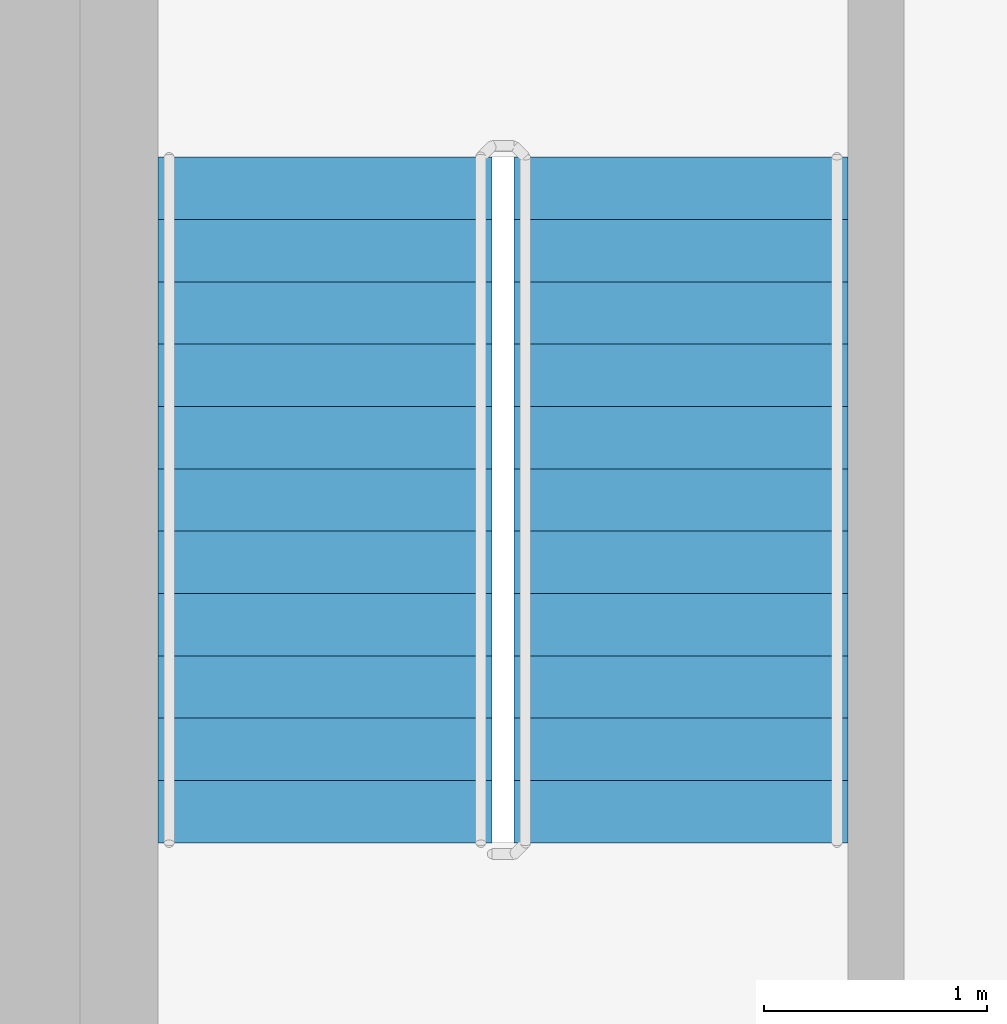
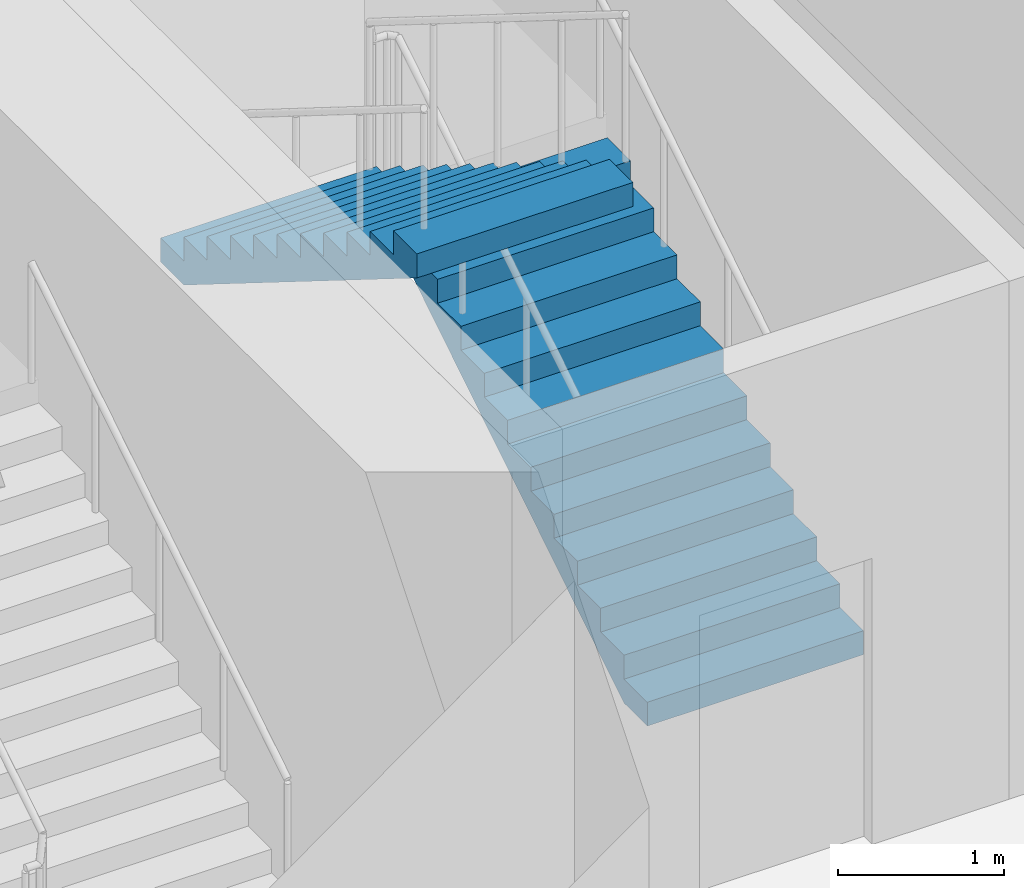
# One storey, part 7 of 10: 2 stair flights, 1 element without a shape of its own.
"""IFC4 building model written with IfcOpenShell, lengths in metres."""

from ifc_helpers import new_model, si_unit, direction, frame, origin, place, context, subcontext, project, spatial, triangles, source, transform, mapped, material, type_object, element, aggregate, save


model = new_model("IFC4")

# Units and contexts
model_context = context("Model", 3, precision=1e-05, world=origin(), true_north=direction((0.0, 1.0)))
body_context = subcontext(model_context, "Body", "Model", "MODEL_VIEW")
ifc_project = project(units=[si_unit("LENGTHUNIT", "METRE"), si_unit("AREAUNIT", "SQUARE_METRE"), si_unit("VOLUMEUNIT", "CUBIC_METRE"), si_unit("PLANEANGLEUNIT", "RADIAN"), si_unit("MASSUNIT", "GRAM", prefix="KILO")], contexts=[model_context])

# Site, building, storey
site_placement = place(None, origin())
site = spatial("IfcSite", under=ifc_project, at=site_placement, CompositionType="ELEMENT")
building_placement = place(site_placement, origin())
building = spatial("IfcBuilding", under=site, at=building_placement, Name="Kilnfold Tower and Market Hall", CompositionType="ELEMENT")
storey_placement = place(building_placement, frame((0.0, 0.0, 164.300048828125)))
storey = spatial("IfcBuildingStorey", under=building, at=storey_placement, Name="L38 Plant Transfer Level", CompositionType="ELEMENT", Elevation=164.300048828125)

# Stair, stair flights
ifc_material_1 = material(Name="Concrete C40/50", Category="concrete")
stair_type = type_object("IfcStairType", Name="CORE STAIR 1500", PredefinedType="HALF_TURN_STAIR", material=ifc_material_1)
stair_placement = place(storey_placement, origin())
stair = element("IfcStair", 1, at=stair_placement, inside=storey, type_object=stair_type, Name="L38 Plant Transfer Level ST5", PredefinedType="HALF_TURN_STAIR")
ifc_material_2 = material(Name="Concrete C40/50", Category="concrete")
stair_flight_type = type_object("IfcStairFlightType", Name="CORE STAIR FLIGHT 1500", PredefinedType="STRAIGHT", material=ifc_material_2)
shared_shape = source(origin(), body_context, "Body", "Tessellation", [
    triangles([(0.0, 0.75, 0.0), (0.0, 0.65625, 0.0), (0.0, 0.5625, 0.0), (0.0, 0.46875, 0.0), (0.0, 0.375, 0.0), (0.0, 0.28125, 0.0), (0.0, 0.1875, 0.0), (0.0, 0.09375, 0.0), (0.0, 0.0, 0.0), (0.0, -0.09375, 0.0), (0.0, -0.1875, 0.0), (0.0, -0.28125, 0.0), (0.0, -0.375, 0.0), (0.0, -0.46875, 0.0), (0.0, -0.5625, 0.0), (0.0, -0.65625, 0.0), (0.0, -0.75, 0.0), (0.0, 0.75, 0.175048828125), (0.0, 0.65625, 0.175048828125), (0.0, 0.5625, 0.175048828125), (0.0, 0.46875, 0.175048828125), (0.0, 0.375, 0.175048828125), (0.0, 0.28125, 0.175048828125), (0.0, 0.1875, 0.175048828125), (0.0, 0.09375, 0.175048828125), (0.0, 0.0, 0.175048828125), (0.0, -0.09375, 0.175048828125), (0.0, -0.1875, 0.175048828125), (0.0, -0.28125, 0.175048828125), (0.0, -0.375, 0.175048828125), (0.0, -0.46875, 0.175048828125), (0.0, -0.5625, 0.175048828125), (0.0, -0.65625, 0.175048828125), (0.0, -0.75, 0.175048828125), (0.280029296875, 0.75, 0.175048828125), (0.280029296875, 0.65625, 0.175048828125), (0.280029296875, 0.5625, 0.175048828125), (0.280029296875, 0.46875, 0.175048828125), (0.280029296875, 0.375, 0.175048828125), (0.280029296875, 0.28125, 0.175048828125), (0.280029296875, 0.1875, 0.175048828125), (0.280029296875, 0.09375, 0.175048828125), (0.280029296875, 0.0, 0.175048828125), (0.280029296875, -0.09375, 0.175048828125), (0.280029296875, -0.1875, 0.175048828125), (0.280029296875, -0.28125, 0.175048828125), (0.280029296875, -0.375, 0.175048828125), (0.280029296875, -0.46875, 0.175048828125), (0.280029296875, -0.5625, 0.175048828125), (0.280029296875, -0.65625, 0.175048828125), (0.280029296875, -0.75, 0.175048828125), (0.280029296875, 0.75, 0.35009765625), (0.280029296875, 0.65625, 0.35009765625), (0.280029296875, 0.5625, 0.35009765625), (0.280029296875, 0.46875, 0.35009765625), (0.280029296875, 0.375, 0.35009765625), (0.280029296875, 0.28125, 0.35009765625), (0.280029296875, 0.1875, 0.35009765625), (0.280029296875, 0.09375, 0.35009765625), (0.280029296875, 0.0, 0.35009765625), (0.280029296875, -0.09375, 0.35009765625), (0.280029296875, -0.1875, 0.35009765625), (0.280029296875, -0.28125, 0.35009765625), (0.280029296875, -0.375, 0.35009765625), (0.280029296875, -0.46875, 0.35009765625), (0.280029296875, -0.5625, 0.35009765625), (0.280029296875, -0.65625, 0.35009765625), (0.280029296875, -0.75, 0.35009765625), (0.56005859375, 0.75, 0.35009765625), (0.56005859375, 0.65625, 0.35009765625), (0.56005859375, 0.5625, 0.35009765625), (0.56005859375, 0.46875, 0.35009765625), (0.56005859375, 0.375, 0.35009765625), (0.56005859375, 0.28125, 0.35009765625), (0.56005859375, 0.1875, 0.35009765625), (0.56005859375, 0.09375, 0.35009765625), (0.56005859375, 0.0, 0.35009765625), (0.56005859375, -0.09375, 0.35009765625), (0.56005859375, -0.1875, 0.35009765625), (0.56005859375, -0.28125, 0.35009765625), (0.56005859375, -0.375, 0.35009765625), (0.56005859375, -0.46875, 0.35009765625), (0.56005859375, -0.5625, 0.35009765625), (0.56005859375, -0.65625, 0.35009765625), (0.56005859375, -0.75, 0.35009765625), (0.56005859375, 0.75, 0.52490234375), (0.56005859375, 0.65625, 0.52490234375), (0.56005859375, 0.5625, 0.52490234375), (0.56005859375, 0.46875, 0.52490234375), (0.56005859375, 0.375, 0.52490234375), (0.56005859375, 0.28125, 0.52490234375), (0.56005859375, 0.1875, 0.52490234375), (0.56005859375, 0.09375, 0.52490234375), (0.56005859375, 0.0, 0.52490234375), (0.56005859375, -0.09375, 0.52490234375), (0.56005859375, -0.1875, 0.52490234375), (0.56005859375, -0.28125, 0.52490234375), (0.56005859375, -0.375, 0.52490234375), (0.56005859375, -0.46875, 0.52490234375), (0.56005859375, -0.5625, 0.52490234375), (0.56005859375, -0.65625, 0.52490234375), (0.56005859375, -0.75, 0.52490234375), (0.840087890625, 0.75, 0.52490234375), (0.840087890625, 0.65625, 0.52490234375), (0.840087890625, 0.5625, 0.52490234375), (0.840087890625, 0.46875, 0.52490234375), (0.840087890625, 0.375, 0.52490234375), (0.840087890625, 0.28125, 0.52490234375), (0.840087890625, 0.1875, 0.52490234375), (0.840087890625, 0.09375, 0.52490234375), (0.840087890625, 0.0, 0.52490234375), (0.840087890625, -0.09375, 0.52490234375), (0.840087890625, -0.1875, 0.52490234375), (0.840087890625, -0.28125, 0.52490234375), (0.840087890625, -0.375, 0.52490234375), (0.840087890625, -0.46875, 0.52490234375), (0.840087890625, -0.5625, 0.52490234375), (0.840087890625, -0.65625, 0.52490234375), (0.840087890625, -0.75, 0.52490234375), (0.840087890625, 0.75, 0.699951171875), (0.840087890625, 0.65625, 0.699951171875), (0.840087890625, 0.5625, 0.699951171875), (0.840087890625, 0.46875, 0.699951171875), (0.840087890625, 0.375, 0.699951171875), (0.840087890625, 0.28125, 0.699951171875), (0.840087890625, 0.1875, 0.699951171875), (0.840087890625, 0.09375, 0.699951171875), (0.840087890625, 0.0, 0.699951171875), (0.840087890625, -0.09375, 0.699951171875), (0.840087890625, -0.1875, 0.699951171875), (0.840087890625, -0.28125, 0.699951171875), (0.840087890625, -0.375, 0.699951171875), (0.840087890625, -0.46875, 0.699951171875), (0.840087890625, -0.5625, 0.699951171875), (0.840087890625, -0.65625, 0.699951171875), (0.840087890625, -0.75, 0.699951171875), (1.1201171875, 0.75, 0.699951171875), (1.1201171875, 0.65625, 0.699951171875), (1.1201171875, 0.5625, 0.699951171875), (1.1201171875, 0.46875, 0.699951171875), (1.1201171875, 0.375, 0.699951171875), (1.1201171875, 0.28125, 0.699951171875), (1.1201171875, 0.1875, 0.699951171875), (1.1201171875, 0.09375, 0.699951171875), (1.1201171875, 0.0, 0.699951171875), (1.1201171875, -0.09375, 0.699951171875), (1.1201171875, -0.1875, 0.699951171875), (1.1201171875, -0.28125, 0.699951171875), (1.1201171875, -0.375, 0.699951171875), (1.1201171875, -0.46875, 0.699951171875), (1.1201171875, -0.5625, 0.699951171875), (1.1201171875, -0.65625, 0.699951171875), (1.1201171875, -0.75, 0.699951171875), (1.1201171875, 0.75, 0.875), (1.1201171875, 0.65625, 0.875), (1.1201171875, 0.5625, 0.875), (1.1201171875, 0.46875, 0.875), (1.1201171875, 0.375, 0.875), (1.1201171875, 0.28125, 0.875), (1.1201171875, 0.1875, 0.875), (1.1201171875, 0.09375, 0.875), (1.1201171875, 0.0, 0.875), (1.1201171875, -0.09375, 0.875), (1.1201171875, -0.1875, 0.875), (1.1201171875, -0.28125, 0.875), (1.1201171875, -0.375, 0.875), (1.1201171875, -0.46875, 0.875), (1.1201171875, -0.5625, 0.875), (1.1201171875, -0.65625, 0.875), (1.1201171875, -0.75, 0.875), (1.39990234375, 0.75, 0.875), (1.39990234375, 0.65625, 0.875), (1.39990234375, 0.5625, 0.875), (1.39990234375, 0.46875, 0.875), (1.39990234375, 0.375, 0.875), (1.39990234375, 0.28125, 0.875), (1.39990234375, 0.1875, 0.875), (1.39990234375, 0.09375, 0.875), (1.39990234375, 0.0, 0.875), (1.39990234375, -0.09375, 0.875), (1.39990234375, -0.1875, 0.875), (1.39990234375, -0.28125, 0.875), (1.39990234375, -0.375, 0.875), (1.39990234375, -0.46875, 0.875), (1.39990234375, -0.5625, 0.875), (1.39990234375, -0.65625, 0.875), (1.39990234375, -0.75, 0.875), (1.39990234375, 0.75, 1.050048828125), (1.39990234375, 0.65625, 1.050048828125), (1.39990234375, 0.5625, 1.050048828125), (1.39990234375, 0.46875, 1.050048828125), (1.39990234375, 0.375, 1.050048828125), (1.39990234375, 0.28125, 1.050048828125), (1.39990234375, 0.1875, 1.050048828125), (1.39990234375, 0.09375, 1.050048828125), (1.39990234375, 0.0, 1.050048828125), (1.39990234375, -0.09375, 1.050048828125), (1.39990234375, -0.1875, 1.050048828125), (1.39990234375, -0.28125, 1.050048828125), (1.39990234375, -0.375, 1.050048828125), (1.39990234375, -0.46875, 1.050048828125), (1.39990234375, -0.5625, 1.050048828125), (1.39990234375, -0.65625, 1.050048828125), (1.39990234375, -0.75, 1.050048828125), (1.679931640625, 0.75, 1.050048828125), (1.679931640625, 0.65625, 1.050048828125), (1.679931640625, 0.5625, 1.050048828125), (1.679931640625, 0.46875, 1.050048828125), (1.679931640625, 0.375, 1.050048828125), (1.679931640625, 0.28125, 1.050048828125), (1.679931640625, 0.1875, 1.050048828125), (1.679931640625, 0.09375, 1.050048828125), (1.679931640625, 0.0, 1.050048828125), (1.679931640625, -0.09375, 1.050048828125), (1.679931640625, -0.1875, 1.050048828125), (1.679931640625, -0.28125, 1.050048828125), (1.679931640625, -0.375, 1.050048828125), (1.679931640625, -0.46875, 1.050048828125), (1.679931640625, -0.5625, 1.050048828125), (1.679931640625, -0.65625, 1.050048828125), (1.679931640625, -0.75, 1.050048828125), (1.679931640625, 0.75, 1.22509765625), (1.679931640625, 0.65625, 1.22509765625), (1.679931640625, 0.5625, 1.22509765625), (1.679931640625, 0.46875, 1.22509765625), (1.679931640625, 0.375, 1.22509765625), (1.679931640625, 0.28125, 1.22509765625), (1.679931640625, 0.1875, 1.22509765625), (1.679931640625, 0.09375, 1.22509765625), (1.679931640625, 0.0, 1.22509765625), (1.679931640625, -0.09375, 1.22509765625), (1.679931640625, -0.1875, 1.22509765625), (1.679931640625, -0.28125, 1.22509765625), (1.679931640625, -0.375, 1.22509765625), (1.679931640625, -0.46875, 1.22509765625), (1.679931640625, -0.5625, 1.22509765625), (1.679931640625, -0.65625, 1.22509765625), (1.679931640625, -0.75, 1.22509765625), (1.9599609375, 0.75, 1.22509765625), (1.9599609375, 0.65625, 1.22509765625), (1.9599609375, 0.5625, 1.22509765625), (1.9599609375, 0.46875, 1.22509765625), (1.9599609375, 0.375, 1.22509765625), (1.9599609375, 0.28125, 1.22509765625), (1.9599609375, 0.1875, 1.22509765625), (1.9599609375, 0.09375, 1.22509765625), (1.9599609375, 0.0, 1.22509765625), (1.9599609375, -0.09375, 1.22509765625), (1.9599609375, -0.1875, 1.22509765625), (1.9599609375, -0.28125, 1.22509765625), (1.9599609375, -0.375, 1.22509765625), (1.9599609375, -0.46875, 1.22509765625), (1.9599609375, -0.5625, 1.22509765625), (1.9599609375, -0.65625, 1.22509765625), (1.9599609375, -0.75, 1.22509765625), (1.9599609375, 0.75, 1.39990234375), (1.9599609375, 0.65625, 1.39990234375), (1.9599609375, 0.5625, 1.39990234375), (1.9599609375, 0.46875, 1.39990234375), (1.9599609375, 0.375, 1.39990234375), (1.9599609375, 0.28125, 1.39990234375), (1.9599609375, 0.1875, 1.39990234375), (1.9599609375, 0.09375, 1.39990234375), (1.9599609375, 0.0, 1.39990234375), (1.9599609375, -0.09375, 1.39990234375), (1.9599609375, -0.1875, 1.39990234375), (1.9599609375, -0.28125, 1.39990234375), (1.9599609375, -0.375, 1.39990234375), (1.9599609375, -0.46875, 1.39990234375), (1.9599609375, -0.5625, 1.39990234375), (1.9599609375, -0.65625, 1.39990234375), (1.9599609375, -0.75, 1.39990234375), (2.239990234375, 0.75, 1.39990234375), (2.239990234375, 0.65625, 1.39990234375), (2.239990234375, 0.5625, 1.39990234375), (2.239990234375, 0.46875, 1.39990234375), (2.239990234375, 0.375, 1.39990234375), (2.239990234375, 0.28125, 1.39990234375), (2.239990234375, 0.1875, 1.39990234375), (2.239990234375, 0.09375, 1.39990234375), (2.239990234375, 0.0, 1.39990234375), (2.239990234375, -0.09375, 1.39990234375), (2.239990234375, -0.1875, 1.39990234375), (2.239990234375, -0.28125, 1.39990234375), (2.239990234375, -0.375, 1.39990234375), (2.239990234375, -0.46875, 1.39990234375), (2.239990234375, -0.5625, 1.39990234375), (2.239990234375, -0.65625, 1.39990234375), (2.239990234375, -0.75, 1.39990234375), (2.239990234375, 0.75, 1.574951171875), (2.239990234375, 0.65625, 1.574951171875), (2.239990234375, 0.5625, 1.574951171875), (2.239990234375, 0.46875, 1.574951171875), (2.239990234375, 0.375, 1.574951171875), (2.239990234375, 0.28125, 1.574951171875), (2.239990234375, 0.1875, 1.574951171875), (2.239990234375, 0.09375, 1.574951171875), (2.239990234375, 0.0, 1.574951171875), (2.239990234375, -0.09375, 1.574951171875), (2.239990234375, -0.1875, 1.574951171875), (2.239990234375, -0.28125, 1.574951171875), (2.239990234375, -0.375, 1.574951171875), (2.239990234375, -0.46875, 1.574951171875), (2.239990234375, -0.5625, 1.574951171875), (2.239990234375, -0.65625, 1.574951171875), (2.239990234375, -0.75, 1.574951171875), (2.52001953125, 0.75, 1.574951171875), (2.52001953125, 0.65625, 1.574951171875), (2.52001953125, 0.5625, 1.574951171875), (2.52001953125, 0.46875, 1.574951171875), (2.52001953125, 0.375, 1.574951171875), (2.52001953125, 0.28125, 1.574951171875), (2.52001953125, 0.1875, 1.574951171875), (2.52001953125, 0.09375, 1.574951171875), (2.52001953125, 0.0, 1.574951171875), (2.52001953125, -0.09375, 1.574951171875), (2.52001953125, -0.1875, 1.574951171875), (2.52001953125, -0.28125, 1.574951171875), (2.52001953125, -0.375, 1.574951171875), (2.52001953125, -0.46875, 1.574951171875), (2.52001953125, -0.5625, 1.574951171875), (2.52001953125, -0.65625, 1.574951171875), (2.52001953125, -0.75, 1.574951171875), (2.52001953125, 0.75, 1.75), (2.52001953125, 0.65625, 1.75), (2.52001953125, 0.5625, 1.75), (2.52001953125, 0.46875, 1.75), (2.52001953125, 0.375, 1.75), (2.52001953125, 0.28125, 1.75), (2.52001953125, 0.1875, 1.75), (2.52001953125, 0.09375, 1.75), (2.52001953125, 0.0, 1.75), (2.52001953125, -0.09375, 1.75), (2.52001953125, -0.1875, 1.75), (2.52001953125, -0.28125, 1.75), (2.52001953125, -0.375, 1.75), (2.52001953125, -0.46875, 1.75), (2.52001953125, -0.5625, 1.75), (2.52001953125, -0.65625, 1.75), (2.52001953125, -0.75, 1.75), (2.800048828125, 0.75, 1.75), (2.800048828125, 0.65625, 1.75), (2.800048828125, 0.5625, 1.75), (2.800048828125, 0.46875, 1.75), (2.800048828125, 0.375, 1.75), (2.800048828125, 0.28125, 1.75), (2.800048828125, 0.1875, 1.75), (2.800048828125, 0.09375, 1.75), (2.800048828125, 0.0, 1.75), (2.800048828125, -0.09375, 1.75), (2.800048828125, -0.1875, 1.75), (2.800048828125, -0.28125, 1.75), (2.800048828125, -0.375, 1.75), (2.800048828125, -0.46875, 1.75), (2.800048828125, -0.5625, 1.75), (2.800048828125, -0.65625, 1.75), (2.800048828125, -0.75, 1.75), (2.800048828125, 0.75, 1.925048828125), (2.800048828125, 0.65625, 1.925048828125), (2.800048828125, 0.5625, 1.925048828125), (2.800048828125, 0.46875, 1.925048828125), (2.800048828125, 0.375, 1.925048828125), (2.800048828125, 0.28125, 1.925048828125), (2.800048828125, 0.1875, 1.925048828125), (2.800048828125, 0.09375, 1.925048828125), (2.800048828125, 0.0, 1.925048828125), (2.800048828125, -0.09375, 1.925048828125), (2.800048828125, -0.1875, 1.925048828125), (2.800048828125, -0.28125, 1.925048828125), (2.800048828125, -0.375, 1.925048828125), (2.800048828125, -0.46875, 1.925048828125), (2.800048828125, -0.5625, 1.925048828125), (2.800048828125, -0.65625, 1.925048828125), (2.800048828125, -0.75, 1.925048828125), (3.080078125, 0.75, 1.925048828125), (3.080078125, 0.65625, 1.925048828125), (3.080078125, 0.5625, 1.925048828125), (3.080078125, 0.46875, 1.925048828125), (3.080078125, 0.375, 1.925048828125), (3.080078125, 0.28125, 1.925048828125), (3.080078125, 0.1875, 1.925048828125), (3.080078125, 0.09375, 1.925048828125), (3.080078125, 0.0, 1.925048828125), (3.080078125, -0.09375, 1.925048828125), (3.080078125, -0.1875, 1.925048828125), (3.080078125, -0.28125, 1.925048828125), (3.080078125, -0.375, 1.925048828125), (3.080078125, -0.46875, 1.925048828125), (3.080078125, -0.5625, 1.925048828125), (3.080078125, -0.65625, 1.925048828125), (3.080078125, -0.75, 1.925048828125), (3.080078125, 0.75, 1.748291015625), (3.080078125, 0.65625, 1.748291015625), (3.080078125, 0.5625, 1.748291015625), (3.080078125, 0.46875, 1.748291015625), (3.080078125, 0.375, 1.748291015625), (3.080078125, 0.28125, 1.748291015625), (3.080078125, 0.1875, 1.748291015625), (3.080078125, 0.09375, 1.748291015625), (3.080078125, 0.0, 1.748291015625), (3.080078125, -0.09375, 1.748291015625), (3.080078125, -0.1875, 1.748291015625), (3.080078125, -0.28125, 1.748291015625), (3.080078125, -0.375, 1.748291015625), (3.080078125, -0.46875, 1.748291015625), (3.080078125, -0.5625, 1.748291015625), (3.080078125, -0.65625, 1.748291015625), (3.080078125, -0.75, 1.748291015625), (0.28271484375, 0.75, 0.0), (0.28271484375, 0.65625, 0.0), (0.28271484375, 0.5625, 0.0), (0.28271484375, 0.46875, 0.0), (0.28271484375, 0.375, 0.0), (0.28271484375, 0.28125, 0.0), (0.28271484375, 0.1875, 0.0), (0.28271484375, 0.09375, 0.0), (0.28271484375, 0.0, 0.0), (0.28271484375, -0.09375, 0.0), (0.28271484375, -0.1875, 0.0), (0.28271484375, -0.28125, 0.0), (0.28271484375, -0.375, 0.0), (0.28271484375, -0.46875, 0.0), (0.28271484375, -0.5625, 0.0), (0.28271484375, -0.65625, 0.0), (0.28271484375, -0.75, 0.0)], [[1, 392, 409], [17, 425, 408], [392, 358, 375], [408, 391, 374], [392, 341, 358], [408, 374, 357], [392, 324, 341], [408, 357, 340], [392, 307, 324], [408, 340, 323], [307, 273, 290], [323, 306, 289], [392, 273, 307], [408, 323, 289], [273, 239, 256], [289, 272, 255], [392, 239, 273], [408, 289, 255], [239, 205, 222], [255, 238, 221], [392, 205, 239], [408, 255, 221], [205, 171, 188], [221, 204, 187], [392, 171, 205], [408, 221, 187], [171, 137, 154], [187, 170, 153], [392, 137, 171], [408, 187, 153], [137, 103, 120], [153, 136, 119], [392, 103, 137], [408, 153, 119], [1, 103, 392], [17, 408, 119], [103, 69, 86], [119, 102, 85], [69, 35, 52], [85, 68, 51], [103, 35, 69], [119, 85, 51], [1, 35, 103], [17, 119, 51], [35, 1, 18], [51, 34, 17], [1, 19, 18], [1, 2, 19], [2, 20, 19], [2, 3, 20], [3, 21, 20], [3, 4, 21], [4, 22, 21], [4, 5, 22], [5, 23, 22], [5, 6, 23], [6, 24, 23], [6, 7, 24], [7, 25, 24], [7, 8, 25], [8, 26, 25], [8, 9, 26], [9, 27, 26], [9, 10, 27], [10, 28, 27], [10, 11, 28], [11, 29, 28], [11, 12, 29], [12, 30, 29], [12, 13, 30], [13, 31, 30], [13, 14, 31], [14, 32, 31], [14, 15, 32], [15, 33, 32], [15, 16, 33], [16, 34, 33], [16, 17, 34], [18, 36, 35], [18, 19, 36], [19, 37, 36], [19, 20, 37], [20, 38, 37], [20, 21, 38], [21, 39, 38], [21, 22, 39], [22, 40, 39], [22, 23, 40], [23, 41, 40], [23, 24, 41], [24, 42, 41], [24, 25, 42], [25, 43, 42], [25, 26, 43], [26, 44, 43], [26, 27, 44], [27, 45, 44], [27, 28, 45], [28, 46, 45], [28, 29, 46], [29, 47, 46], [29, 30, 47], [30, 48, 47], [30, 31, 48], [31, 49, 48], [31, 32, 49], [32, 50, 49], [32, 33, 50], [33, 51, 50], [33, 34, 51], [35, 53, 52], [35, 36, 53], [36, 54, 53], [36, 37, 54], [37, 55, 54], [37, 38, 55], [38, 56, 55], [38, 39, 56], [39, 57, 56], [39, 40, 57], [40, 58, 57], [40, 41, 58], [41, 59, 58], [41, 42, 59], [42, 60, 59], [42, 43, 60], [43, 61, 60], [43, 44, 61], [44, 62, 61], [44, 45, 62], [45, 63, 62], [45, 46, 63], [46, 64, 63], [46, 47, 64], [47, 65, 64], [47, 48, 65], [48, 66, 65], [48, 49, 66], [49, 67, 66], [49, 50, 67], [50, 68, 67], [50, 51, 68], [52, 70, 69], [52, 53, 70], [53, 71, 70], [53, 54, 71], [54, 72, 71], [54, 55, 72], [55, 73, 72], [55, 56, 73], [56, 74, 73], [56, 57, 74], [57, 75, 74], [57, 58, 75], [58, 76, 75], [58, 59, 76], [59, 77, 76], [59, 60, 77], [60, 78, 77], [60, 61, 78], [61, 79, 78], [61, 62, 79], [62, 80, 79], [62, 63, 80], [63, 81, 80], [63, 64, 81], [64, 82, 81], [64, 65, 82], [65, 83, 82], [65, 66, 83], [66, 84, 83], [66, 67, 84], [67, 85, 84], [67, 68, 85], [69, 87, 86], [69, 70, 87], [70, 88, 87], [70, 71, 88], [71, 89, 88], [71, 72, 89], [72, 90, 89], [72, 73, 90], [73, 91, 90], [73, 74, 91], [74, 92, 91], [74, 75, 92], [75, 93, 92], [75, 76, 93], [76, 94, 93], [76, 77, 94], [77, 95, 94], [77, 78, 95], [78, 96, 95], [78, 79, 96], [79, 97, 96], [79, 80, 97], [80, 98, 97], [80, 81, 98], [81, 99, 98], [81, 82, 99], [82, 100, 99], [82, 83, 100], [83, 101, 100], [83, 84, 101], [84, 102, 101], [84, 85, 102], [86, 104, 103], [86, 87, 104], [87, 105, 104], [87, 88, 105], [88, 106, 105], [88, 89, 106], [89, 107, 106], [89, 90, 107], [90, 108, 107], [90, 91, 108], [91, 109, 108], [91, 92, 109], [92, 110, 109], [92, 93, 110], [93, 111, 110], [93, 94, 111], [94, 112, 111], [94, 95, 112], [95, 113, 112], [95, 96, 113], [96, 114, 113], [96, 97, 114], [97, 115, 114], [97, 98, 115], [98, 116, 115], [98, 99, 116], [99, 117, 116], [99, 100, 117], [100, 118, 117], [100, 101, 118], [101, 119, 118], [101, 102, 119], [103, 121, 120], [103, 104, 121], [104, 122, 121], [104, 105, 122], [105, 123, 122], [105, 106, 123], [106, 124, 123], [106, 107, 124], [107, 125, 124], [107, 108, 125], [108, 126, 125], [108, 109, 126], [109, 127, 126], [109, 110, 127], [110, 128, 127], [110, 111, 128], [111, 129, 128], [111, 112, 129], [112, 130, 129], [112, 113, 130], [113, 131, 130], [113, 114, 131], [114, 132, 131], [114, 115, 132], [115, 133, 132], [115, 116, 133], [116, 134, 133], [116, 117, 134], [117, 135, 134], [117, 118, 135], [118, 136, 135], [118, 119, 136], [120, 138, 137], [120, 121, 138], [121, 139, 138], [121, 122, 139], [122, 140, 139], [122, 123, 140], [123, 141, 140], [123, 124, 141], [124, 142, 141], [124, 125, 142], [125, 143, 142], [125, 126, 143], [126, 144, 143], [126, 127, 144], [127, 145, 144], [127, 128, 145], [128, 146, 145], [128, 129, 146], [129, 147, 146], [129, 130, 147], [130, 148, 147], [130, 131, 148], [131, 149, 148], [131, 132, 149], [132, 150, 149], [132, 133, 150], [133, 151, 150], [133, 134, 151], [134, 152, 151], [134, 135, 152], [135, 153, 152], [135, 136, 153], [137, 155, 154], [137, 138, 155], [138, 156, 155], [138, 139, 156], [139, 157, 156], [139, 140, 157], [140, 158, 157], [140, 141, 158], [141, 159, 158], [141, 142, 159], [142, 160, 159], [142, 143, 160], [143, 161, 160], [143, 144, 161], [144, 162, 161], [144, 145, 162], [145, 163, 162], [145, 146, 163], [146, 164, 163], [146, 147, 164], [147, 165, 164], [147, 148, 165], [148, 166, 165], [148, 149, 166], [149, 167, 166], [149, 150, 167], [150, 168, 167], [150, 151, 168], [151, 169, 168], [151, 152, 169], [152, 170, 169], [152, 153, 170], [154, 172, 171], [154, 155, 172], [155, 173, 172], [155, 156, 173], [156, 174, 173], [156, 157, 174], [157, 175, 174], [157, 158, 175], [158, 176, 175], [158, 159, 176], [159, 177, 176], [159, 160, 177], [160, 178, 177], [160, 161, 178], [161, 179, 178], [161, 162, 179], [162, 180, 179], [162, 163, 180], [163, 181, 180], [163, 164, 181], [164, 182, 181], [164, 165, 182], [165, 183, 182], [165, 166, 183], [166, 184, 183], [166, 167, 184], [167, 185, 184], [167, 168, 185], [168, 186, 185], [168, 169, 186], [169, 187, 186], [169, 170, 187], [171, 189, 188], [171, 172, 189], [172, 190, 189], [172, 173, 190], [173, 191, 190], [173, 174, 191], [174, 192, 191], [174, 175, 192], [175, 193, 192], [175, 176, 193], [176, 194, 193], [176, 177, 194], [177, 195, 194], [177, 178, 195], [178, 196, 195], [178, 179, 196], [179, 197, 196], [179, 180, 197], [180, 198, 197], [180, 181, 198], [181, 199, 198], [181, 182, 199], [182, 200, 199], [182, 183, 200], [183, 201, 200], [183, 184, 201], [184, 202, 201], [184, 185, 202], [185, 203, 202], [185, 186, 203], [186, 204, 203], [186, 187, 204], [188, 206, 205], [188, 189, 206], [189, 207, 206], [189, 190, 207], [190, 208, 207], [190, 191, 208], [191, 209, 208], [191, 192, 209], [192, 210, 209], [192, 193, 210], [193, 211, 210], [193, 194, 211], [194, 212, 211], [194, 195, 212], [195, 213, 212], [195, 196, 213], [196, 214, 213], [196, 197, 214], [197, 215, 214], [197, 198, 215], [198, 216, 215], [198, 199, 216], [199, 217, 216], [199, 200, 217], [200, 218, 217], [200, 201, 218], [201, 219, 218], [201, 202, 219], [202, 220, 219], [202, 203, 220], [203, 221, 220], [203, 204, 221], [205, 223, 222], [205, 206, 223], [206, 224, 223], [206, 207, 224], [207, 225, 224], [207, 208, 225], [208, 226, 225], [208, 209, 226], [209, 227, 226], [209, 210, 227], [210, 228, 227], [210, 211, 228], [211, 229, 228], [211, 212, 229], [212, 230, 229], [212, 213, 230], [213, 231, 230], [213, 214, 231], [214, 232, 231], [214, 215, 232], [215, 233, 232], [215, 216, 233], [216, 234, 233], [216, 217, 234], [217, 235, 234], [217, 218, 235], [218, 236, 235], [218, 219, 236], [219, 237, 236], [219, 220, 237], [220, 238, 237], [220, 221, 238], [222, 240, 239], [222, 223, 240], [223, 241, 240], [223, 224, 241], [224, 242, 241], [224, 225, 242], [225, 243, 242], [225, 226, 243], [226, 244, 243], [226, 227, 244], [227, 245, 244], [227, 228, 245], [228, 246, 245], [228, 229, 246], [229, 247, 246], [229, 230, 247], [230, 248, 247], [230, 231, 248], [231, 249, 248], [231, 232, 249], [232, 250, 249], [232, 233, 250], [233, 251, 250], [233, 234, 251], [234, 252, 251], [234, 235, 252], [235, 253, 252], [235, 236, 253], [236, 254, 253], [236, 237, 254], [237, 255, 254], [237, 238, 255], [239, 257, 256], [239, 240, 257], [240, 258, 257], [240, 241, 258], [241, 259, 258], [241, 242, 259], [242, 260, 259], [242, 243, 260], [243, 261, 260], [243, 244, 261], [244, 262, 261], [244, 245, 262], [245, 263, 262], [245, 246, 263], [246, 264, 263], [246, 247, 264], [247, 265, 264], [247, 248, 265], [248, 266, 265], [248, 249, 266], [249, 267, 266], [249, 250, 267], [250, 268, 267], [250, 251, 268], [251, 269, 268], [251, 252, 269], [252, 270, 269], [252, 253, 270], [253, 271, 270], [253, 254, 271], [254, 272, 271], [254, 255, 272], [256, 274, 273], [256, 257, 274], [257, 275, 274], [257, 258, 275], [258, 276, 275], [258, 259, 276], [259, 277, 276], [259, 260, 277], [260, 278, 277], [260, 261, 278], [261, 279, 278], [261, 262, 279], [262, 280, 279], [262, 263, 280], [263, 281, 280], [263, 264, 281], [264, 282, 281], [264, 265, 282], [265, 283, 282], [265, 266, 283], [266, 284, 283], [266, 267, 284], [267, 285, 284], [267, 268, 285], [268, 286, 285], [268, 269, 286], [269, 287, 286], [269, 270, 287], [270, 288, 287], [270, 271, 288], [271, 289, 288], [271, 272, 289], [273, 291, 290], [273, 274, 291], [274, 292, 291], [274, 275, 292], [275, 293, 292], [275, 276, 293], [276, 294, 293], [276, 277, 294], [277, 295, 294], [277, 278, 295], [278, 296, 295], [278, 279, 296], [279, 297, 296], [279, 280, 297], [280, 298, 297], [280, 281, 298], [281, 299, 298], [281, 282, 299], [282, 300, 299], [282, 283, 300], [283, 301, 300], [283, 284, 301], [284, 302, 301], [284, 285, 302], [285, 303, 302], [285, 286, 303], [286, 304, 303], [286, 287, 304], [287, 305, 304], [287, 288, 305], [288, 306, 305], [288, 289, 306], [290, 308, 307], [290, 291, 308], [291, 309, 308], [291, 292, 309], [292, 310, 309], [292, 293, 310], [293, 311, 310], [293, 294, 311], [294, 312, 311], [294, 295, 312], [295, 313, 312], [295, 296, 313], [296, 314, 313], [296, 297, 314], [297, 315, 314], [297, 298, 315], [298, 316, 315], [298, 299, 316], [299, 317, 316], [299, 300, 317], [300, 318, 317], [300, 301, 318], [301, 319, 318], [301, 302, 319], [302, 320, 319], [302, 303, 320], [303, 321, 320], [303, 304, 321], [304, 322, 321], [304, 305, 322], [305, 323, 322], [305, 306, 323], [307, 325, 324], [307, 308, 325], [308, 326, 325], [308, 309, 326], [309, 327, 326], [309, 310, 327], [310, 328, 327], [310, 311, 328], [311, 329, 328], [311, 312, 329], [312, 330, 329], [312, 313, 330], [313, 331, 330], [313, 314, 331], [314, 332, 331], [314, 315, 332], [315, 333, 332], [315, 316, 333], [316, 334, 333], [316, 317, 334], [317, 335, 334], [317, 318, 335], [318, 336, 335], [318, 319, 336], [319, 337, 336], [319, 320, 337], [320, 338, 337], [320, 321, 338], [321, 339, 338], [321, 322, 339], [322, 340, 339], [322, 323, 340], [324, 342, 341], [324, 325, 342], [325, 343, 342], [325, 326, 343], [326, 344, 343], [326, 327, 344], [327, 345, 344], [327, 328, 345], [328, 346, 345], [328, 329, 346], [329, 347, 346], [329, 330, 347], [330, 348, 347], [330, 331, 348], [331, 349, 348], [331, 332, 349], [332, 350, 349], [332, 333, 350], [333, 351, 350], [333, 334, 351], [334, 352, 351], [334, 335, 352], [335, 353, 352], [335, 336, 353], [336, 354, 353], [336, 337, 354], [337, 355, 354], [337, 338, 355], [338, 356, 355], [338, 339, 356], [339, 357, 356], [339, 340, 357], [341, 359, 358], [341, 342, 359], [342, 360, 359], [342, 343, 360], [343, 361, 360], [343, 344, 361], [344, 362, 361], [344, 345, 362], [345, 363, 362], [345, 346, 363], [346, 364, 363], [346, 347, 364], [347, 365, 364], [347, 348, 365], [348, 366, 365], [348, 349, 366], [349, 367, 366], [349, 350, 367], [350, 368, 367], [350, 351, 368], [351, 369, 368], [351, 352, 369], [352, 370, 369], [352, 353, 370], [353, 371, 370], [353, 354, 371], [354, 372, 371], [354, 355, 372], [355, 373, 372], [355, 356, 373], [356, 374, 373], [356, 357, 374], [358, 376, 375], [358, 359, 376], [359, 377, 376], [359, 360, 377], [360, 378, 377], [360, 361, 378], [361, 379, 378], [361, 362, 379], [362, 380, 379], [362, 363, 380], [363, 381, 380], [363, 364, 381], [364, 382, 381], [364, 365, 382], [365, 383, 382], [365, 366, 383], [366, 384, 383], [366, 367, 384], [367, 385, 384], [367, 368, 385], [368, 386, 385], [368, 369, 386], [369, 387, 386], [369, 370, 387], [370, 388, 387], [370, 371, 388], [371, 389, 388], [371, 372, 389], [372, 390, 389], [372, 373, 390], [373, 391, 390], [373, 374, 391], [375, 393, 392], [375, 376, 393], [376, 394, 393], [376, 377, 394], [377, 395, 394], [377, 378, 395], [378, 396, 395], [378, 379, 396], [379, 397, 396], [379, 380, 397], [380, 398, 397], [380, 381, 398], [381, 399, 398], [381, 382, 399], [382, 400, 399], [382, 383, 400], [383, 401, 400], [383, 384, 401], [384, 402, 401], [384, 385, 402], [385, 403, 402], [385, 386, 403], [386, 404, 403], [386, 387, 404], [387, 405, 404], [387, 388, 405], [388, 406, 405], [388, 389, 406], [389, 407, 406], [389, 390, 407], [390, 408, 407], [390, 391, 408], [392, 410, 409], [392, 393, 410], [393, 411, 410], [393, 394, 411], [394, 412, 411], [394, 395, 412], [395, 413, 412], [395, 396, 413], [396, 414, 413], [396, 397, 414], [397, 415, 414], [397, 398, 415], [398, 416, 415], [398, 399, 416], [399, 417, 416], [399, 400, 417], [400, 418, 417], [400, 401, 418], [401, 419, 418], [401, 402, 419], [402, 420, 419], [402, 403, 420], [403, 421, 420], [403, 404, 421], [404, 422, 421], [404, 405, 422], [405, 423, 422], [405, 406, 423], [406, 424, 423], [406, 407, 424], [407, 425, 424], [407, 408, 425], [409, 2, 1], [409, 410, 2], [410, 3, 2], [410, 411, 3], [411, 4, 3], [411, 412, 4], [412, 5, 4], [412, 413, 5], [413, 6, 5], [413, 414, 6], [414, 7, 6], [414, 415, 7], [415, 8, 7], [415, 416, 8], [416, 9, 8], [416, 417, 9], [417, 10, 9], [417, 418, 10], [418, 11, 10], [418, 419, 11], [419, 12, 11], [419, 420, 12], [420, 13, 12], [420, 421, 13], [421, 14, 13], [421, 422, 14], [422, 15, 14], [422, 423, 15], [423, 16, 15], [423, 424, 16], [424, 17, 16], [424, 425, 17]], closed=True),
])
stair_flight_1_placement = place(storey_placement, frame((20.699951171875, 11.5, 0.0), z_axis=(0.0, 0.0, 1.0), x_axis=(0.0, 1.0, 0.0)))
stair_flight_1 = element("IfcStairFlight", 2, at=stair_flight_1_placement, type_object=stair_flight_type, Name="ST5 flight 1", NumberOfRisers=12, NumberOfTreads=11, PredefinedType="STRAIGHT", RiserHeight=0.175, TreadLength=0.28, context=body_context, shape_type="MappedRepresentation", body=[
    mapped(shared_shape, transform((0.0, 0.0, 0.0))),
])
stair_flight_2_placement = place(storey_placement, frame((19.10009765625, 14.580078125, 2.099853515625), z_axis=(0.0, 0.0, 1.0), x_axis=(0.0, -1.0, 0.0)))
stair_flight_2 = element("IfcStairFlight", 3, at=stair_flight_2_placement, type_object=stair_flight_type, Name="ST5 flight 2", NumberOfRisers=12, NumberOfTreads=11, PredefinedType="STRAIGHT", RiserHeight=0.175, TreadLength=0.28, context=body_context, shape_type="MappedRepresentation", body=[
    mapped(shared_shape, transform((0.0, 0.0, 0.0))),
])
aggregate(stair, [stair_flight_1, stair_flight_2])

save(model, "model.ifc")
